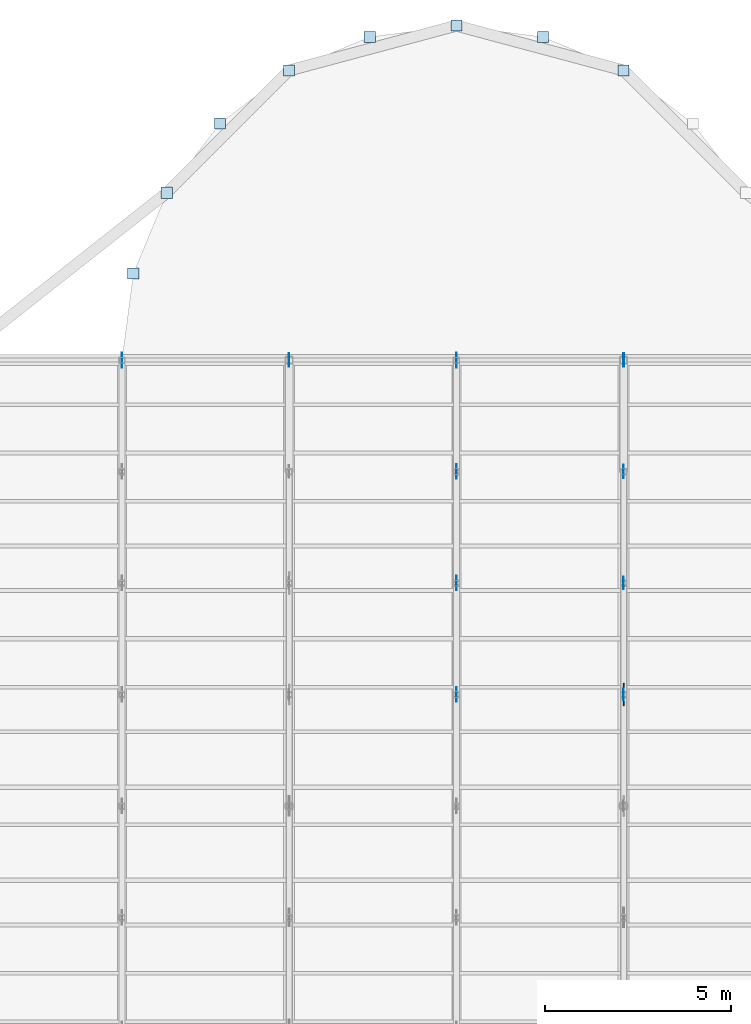
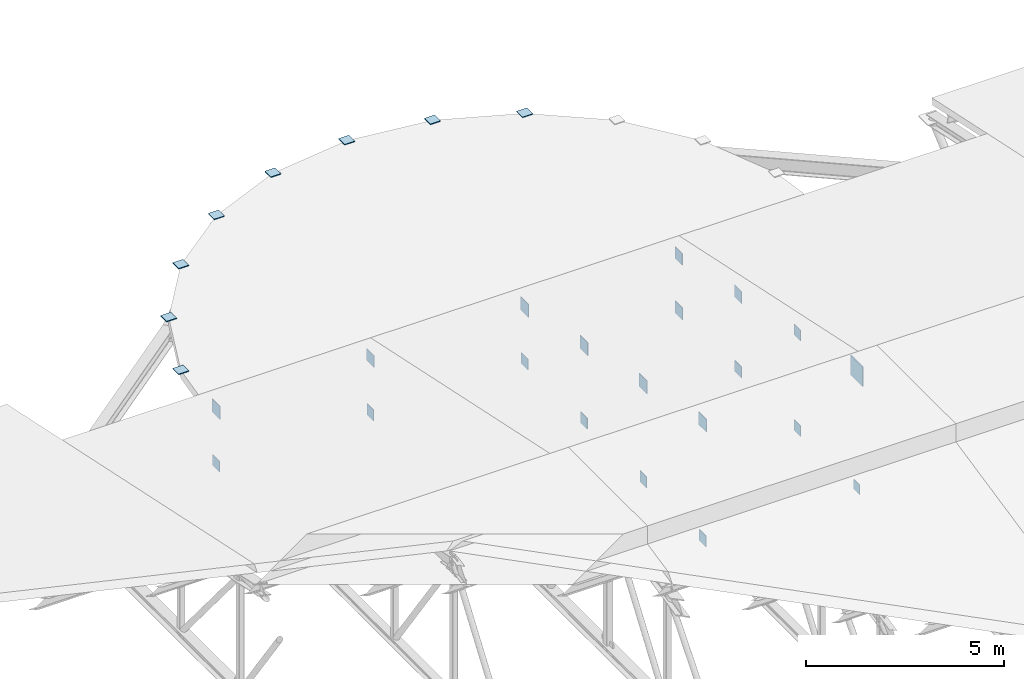
# One storey, part 39 of 43: 28 plates.
"""IFC4 building model written with IfcOpenShell, lengths in metres."""

from ifc_helpers import new_model, si_unit, direction, frame, origin, origin_2d, place, context, subcontext, project, spatial, rectangle, extrude, material, layer, layer_set, type_object, element, save


model = new_model("IFC4")

# Units and contexts
model_context = context("Model", 3, precision=1e-05, world=origin(), true_north=direction((0.0, 1.0)))
body_context = subcontext(model_context, "Body", "Model", "MODEL_VIEW")
ifc_project = project(units=[si_unit("LENGTHUNIT", "METRE"), si_unit("AREAUNIT", "SQUARE_METRE"), si_unit("VOLUMEUNIT", "CUBIC_METRE"), si_unit("PLANEANGLEUNIT", "RADIAN"), si_unit("MASSUNIT", "GRAM", prefix="KILO")], contexts=[model_context])

# Site, building, storey
site_placement = place(None, origin())
site = spatial("IfcSite", under=ifc_project, at=site_placement, CompositionType="ELEMENT")
building_placement = place(site_placement, origin())
building = spatial("IfcBuilding", under=site, at=building_placement, Name="Serraforn Aerial Cableway Station", CompositionType="ELEMENT")
storey_placement = place(building_placement, frame((0.0, 0.0, 18.300048828125)))
storey = spatial("IfcBuildingStorey", under=building, at=storey_placement, Name="RF", CompositionType="ELEMENT", Elevation=18.300048828125)

# Plates
ifc_material = material(Name="Steel S355J2", Category="steel")
ifc_layer_1 = layer(ifc_material, 0.01611328125)
ifc_layer_set_1 = layer_set([ifc_layer_1], Name="Steel S355J2")
plate_type_1 = type_object("IfcPlateType", Name="PLT-CAP-16", PredefinedType="USERDEFINED", material=ifc_layer_set_1)
plate_1_placement = place(storey_placement, frame((63.60009765625, 33.0, -1.5), z_axis=(0.0, 0.0, 1.0), x_axis=(1.0, 0.0, 0.0)))
element("IfcPlate", 1, at=plate_1_placement, inside=storey, type_object=plate_type_1, Name="Truss Bottom Node Cap TR-05-6", ObjectType="CAP PLATE", PredefinedType="USERDEFINED", context=body_context, shape_type="SweptSolid", body=[
    extrude(rectangle(XDim=0.01611328125, YDim=0.300048828125, at=origin_2d()), origin(), (0.0, 0.0, 1.0), 0.300048828125),
])
ifc_layer_2 = layer(ifc_material, 0.01708984375)
ifc_layer_set_2 = layer_set([ifc_layer_2], Name="Steel S355J2")
plate_type_2 = type_object("IfcPlateType", Name="PLT-CAP-17", PredefinedType="USERDEFINED", material=ifc_layer_set_2)
plate_2_placement = place(storey_placement, frame((63.60009765625, 36.0, -1.51513671875), z_axis=(0.0, 0.0, 1.0), x_axis=(1.0, 0.0, 0.0)))
element("IfcPlate", 2, at=plate_2_placement, inside=storey, type_object=plate_type_2, Name="Truss Bottom Node Cap TR-05-7", ObjectType="CAP PLATE", PredefinedType="USERDEFINED", context=body_context, shape_type="SweptSolid", body=[
    extrude(rectangle(XDim=0.01708984375, YDim=0.330078125, at=origin_2d()), origin(), (0.0, 0.0, 1.0), 0.330078125),
])
ifc_layer_3 = layer(ifc_material, 0.01806640625)
ifc_layer_set_3 = layer_set([ifc_layer_3], Name="Steel S355J2")
plate_type_3 = type_object("IfcPlateType", Name="PLT-CAP-18", PredefinedType="USERDEFINED", material=ifc_layer_set_3)
for number, where, z_axis, x_axis, name in (
    (3, (54.60009765625, 42.0, -1.52001953125), (0.0, 0.0, 1.0), (1.0, 0.0, 0.0), "Truss Bottom Node Cap TR-04-9"),
    (4, (63.60009765625, 39.0, -1.52001953125), (0.0, 0.0, 1.0), (1.0, 0.0, 0.0), "Truss Bottom Node Cap TR-05-8"),
    (5, (50.10009765625, 42.0, -1.52001953125), (0.0, 0.0, 1.0), (1.0, 0.0, 0.0), "Intermediate Truss Bottom Cap TRM-03-9"),
    (6, (59.10009765625, 33.0, -1.52001953125), (0.0, 0.0, 1.0), (1.0, 0.0, 0.0), "Intermediate Truss Bottom Cap TRM-04-6"),
    (7, (59.10009765625, 36.0, -1.52001953125), (0.0, 0.0, 1.0), (1.0, 0.0, 0.0), "Intermediate Truss Bottom Cap TRM-04-7"),
    (8, (59.10009765625, 39.0, -1.52001953125), (0.0, 0.0, 1.0), (1.0, 0.0, 0.0), "Intermediate Truss Bottom Cap TRM-04-8"),
    (9, (59.10009765625, 42.0, -1.52001953125), (0.0, 0.0, 1.0), (1.0, 0.0, 0.0), "Intermediate Truss Bottom Cap TRM-04-9"),
):
    element("IfcPlate", number, at=place(storey_placement, frame(where, z_axis=z_axis, x_axis=x_axis)), inside=storey, type_object=plate_type_3, Name=name, ObjectType="CAP PLATE", PredefinedType="USERDEFINED", context=body_context, shape_type="SweptSolid", body=[
        extrude(rectangle(XDim=0.01806640625, YDim=0.340087890625, at=origin_2d()), origin(), (0.0, 0.0, 1.0), 0.340087890625),
    ])
ifc_layer_4 = layer(ifc_material, 0.01904296875)
ifc_layer_set_4 = layer_set([ifc_layer_4], Name="Steel S355J2")
plate_type_4 = type_object("IfcPlateType", Name="PLT-CAP-19", PredefinedType="USERDEFINED", material=ifc_layer_set_4)
plate_3_placement = place(storey_placement, frame((63.60009765625, 42.0, -1.53515625), z_axis=(0.0, 0.0, 1.0), x_axis=(1.0, 0.0, 0.0)))
element("IfcPlate", 10, at=plate_3_placement, inside=storey, type_object=plate_type_4, Name="Truss Bottom Node Cap TR-05-9", ObjectType="CAP PLATE", PredefinedType="USERDEFINED", context=body_context, shape_type="SweptSolid", body=[
    extrude(rectangle(XDim=0.01904296875, YDim=0.3701171875, at=origin_2d()), origin(), (0.0, 0.0, 1.0), 0.3701171875),
])
ifc_layer_5 = layer(ifc_material, 0.02490234375)
ifc_layer_set_5 = layer_set([ifc_layer_5], Name="Steel S355J2")
plate_type_5 = type_object("IfcPlateType", Name="PLT-ECP-CHS273", PredefinedType="USERDEFINED", material=ifc_layer_set_5)
for number, where, z_axis, x_axis, name in (
    (11, (50.40673828125, 44.329345703125, -0.0009765625), (0.0, 0.0, 1.0), (1.0, 0.0, 0.0), "Apse Hollow Column End Cap 1"),
    (12, (51.305908203125, 46.5, -0.0009765625), (0.0, 0.0, 1.0), (1.0, 0.0, 0.0), "Apse Hollow Column End Cap 2"),
    (13, (52.736083984375, 48.364013671875, -0.0009765625), (0.0, 0.0, 1.0), (1.0, 0.0, 0.0), "Apse Hollow Column End Cap 3"),
    (14, (54.60009765625, 49.794189453125, -0.0009765625), (0.0, 0.0, 1.0), (1.0, 0.0, 0.0), "Apse Hollow Column End Cap 4"),
    (15, (56.7705078125, 50.693359375, -0.0009765625), (0.0, 0.0, 1.0), (1.0, 0.0, 0.0), "Apse Hollow Column End Cap 5"),
    (16, (59.10009765625, 51.0, -0.0009765625), (0.0, 0.0, 1.0), (1.0, 0.0, 0.0), "Apse Hollow Column End Cap 6"),
    (17, (61.429443359375, 50.693359375, -0.0009765625), (0.0, 0.0, 1.0), (1.0, 0.0, 0.0), "Apse Hollow Column End Cap 7"),
    (18, (63.60009765625, 49.794189453125, -0.0009765625), (0.0, 0.0, 1.0), (1.0, 0.0, 0.0), "Apse Hollow Column End Cap 8"),
):
    element("IfcPlate", number, at=place(storey_placement, frame(where, z_axis=z_axis, x_axis=x_axis)), inside=storey, type_object=plate_type_5, Name=name, ObjectType="END CAP PLATE", PredefinedType="USERDEFINED", context=body_context, shape_type="SweptSolid", body=[
        extrude(rectangle(XDim=0.300048828125, YDim=0.300048828125, at=origin_2d()), origin(), (0.0, 0.0, 1.0), 0.02490234375),
    ])
ifc_layer_6 = layer(ifc_material, 0.014892578125)
ifc_layer_set_6 = layer_set([ifc_layer_6], Name="Steel S355J2")
plate_type_6 = type_object("IfcPlateType", Name="PLT-GUS-15", PredefinedType="USERDEFINED", material=ifc_layer_set_6)
plate_4_placement = place(storey_placement, frame((63.60009765625, 36.0, 1.435546875), z_axis=(0.0, 0.0, 1.0), x_axis=(1.0, 0.0, 0.0)))
element("IfcPlate", 19, at=plate_4_placement, inside=storey, type_object=plate_type_6, Name="Truss Top Node Gusset TR-05-7", ObjectType="GUSSET PLATE", PredefinedType="USERDEFINED", context=body_context, shape_type="SweptSolid", body=[
    extrude(rectangle(XDim=0.014892578125, YDim=0.330078125, at=origin_2d()), origin(), (0.0, 0.0, 1.0), 0.330078125),
])
ifc_layer_7 = layer(ifc_material, 0.01708984375)
ifc_layer_set_7 = layer_set([ifc_layer_7], Name="Steel S355J2")
plate_type_7 = type_object("IfcPlateType", Name="PLT-GUS-17", PredefinedType="USERDEFINED", material=ifc_layer_set_7)
for number, where, z_axis, x_axis, name in (
    (20, (54.60009765625, 42.0, 0.14013671875), (0.0, 0.0, 1.0), (1.0, 0.0, 0.0), "Truss Top Node Gusset TR-04-9"),
    (21, (63.60009765625, 39.0, 0.77783203125), (0.0, 0.0, 1.0), (1.0, 0.0, 0.0), "Truss Top Node Gusset TR-05-8"),
):
    element("IfcPlate", number, at=place(storey_placement, frame(where, z_axis=z_axis, x_axis=x_axis)), inside=storey, type_object=plate_type_7, Name=name, ObjectType="GUSSET PLATE", PredefinedType="USERDEFINED", context=body_context, shape_type="SweptSolid", body=[
        extrude(rectangle(XDim=0.01708984375, YDim=0.3701171875, at=origin_2d()), origin(), (0.0, 0.0, 1.0), 0.3701171875),
    ])
ifc_layer_8 = layer(ifc_material, 0.01806640625)
ifc_layer_set_8 = layer_set([ifc_layer_8], Name="Steel S355J2")
plate_type_8 = type_object("IfcPlateType", Name="PLT-GUS-18", PredefinedType="USERDEFINED", material=ifc_layer_set_8)
plate_5_placement = place(storey_placement, frame((63.60009765625, 42.0, 0.14501953125), z_axis=(0.0, 0.0, 1.0), x_axis=(1.0, 0.0, 0.0)))
element("IfcPlate", 22, at=plate_5_placement, inside=storey, type_object=plate_type_8, Name="Truss Top Node Gusset TR-05-9", ObjectType="GUSSET PLATE", PredefinedType="USERDEFINED", context=body_context, shape_type="SweptSolid", body=[
    extrude(rectangle(XDim=0.01806640625, YDim=0.360107421875, at=origin_2d()), origin(), (0.0, 0.0, 1.0), 0.360107421875),
])
ifc_layer_9 = layer(ifc_material, 0.02001953125)
ifc_layer_set_9 = layer_set([ifc_layer_9], Name="Steel S355J2")
plate_type_9 = type_object("IfcPlateType", Name="PLT-GUS-20", PredefinedType="USERDEFINED", material=ifc_layer_set_9)
for number, where, z_axis, x_axis, name in (
    (23, (50.10009765625, 42.0, 0.125244140625), (0.0, 0.0, 1.0), (1.0, 0.0, 0.0), "Intermediate Truss Top Gusset TRM-03-9"),
    (24, (59.10009765625, 33.0, 2.038330078125), (0.0, 0.0, 1.0), (1.0, 0.0, 0.0), "Intermediate Truss Top Gusset TRM-04-6"),
    (25, (59.10009765625, 36.0, 1.400634765625), (0.0, 0.0, 1.0), (1.0, 0.0, 0.0), "Intermediate Truss Top Gusset TRM-04-7"),
    (26, (59.10009765625, 39.0, 0.762939453125), (0.0, 0.0, 1.0), (1.0, 0.0, 0.0), "Intermediate Truss Top Gusset TRM-04-8"),
    (27, (59.10009765625, 42.0, 0.125244140625), (0.0, 0.0, 1.0), (1.0, 0.0, 0.0), "Intermediate Truss Top Gusset TRM-04-9"),
):
    element("IfcPlate", number, at=place(storey_placement, frame(where, z_axis=z_axis, x_axis=x_axis)), inside=storey, type_object=plate_type_9, Name=name, ObjectType="GUSSET PLATE", PredefinedType="USERDEFINED", context=body_context, shape_type="SweptSolid", body=[
        extrude(rectangle(XDim=0.02001953125, YDim=0.39990234375, at=origin_2d()), origin(), (0.0, 0.0, 1.0), 0.39990234375),
    ])
ifc_layer_10 = layer(ifc_material, 0.031982421875)
ifc_layer_set_10 = layer_set([ifc_layer_10], Name="Steel S355J2")
plate_type_10 = type_object("IfcPlateType", Name="PLT-GUS-32", PredefinedType="USERDEFINED", material=ifc_layer_set_10)
plate_6_placement = place(storey_placement, frame((63.60009765625, 33.0, 1.938232421875), z_axis=(0.0, 0.0, 1.0), x_axis=(1.0, 0.0, 0.0)))
element("IfcPlate", 28, at=plate_6_placement, inside=storey, type_object=plate_type_10, Name="Truss Top Node Gusset TR-05-6", ObjectType="GUSSET PLATE", PredefinedType="USERDEFINED", context=body_context, shape_type="SweptSolid", body=[
    extrude(rectangle(XDim=0.031982421875, YDim=0.60009765625, at=origin_2d()), origin(), (0.0, 0.0, 1.0), 0.60009765625),
])

save(model, "model.ifc")
